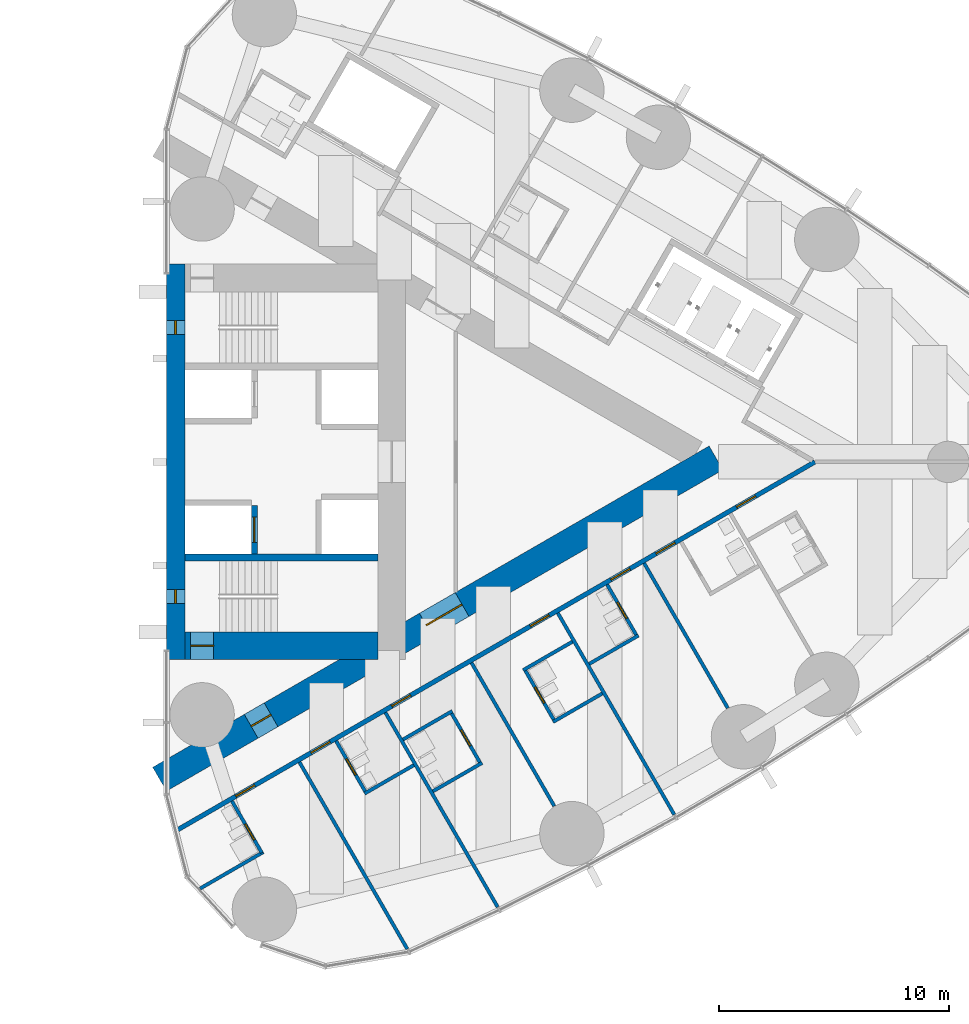
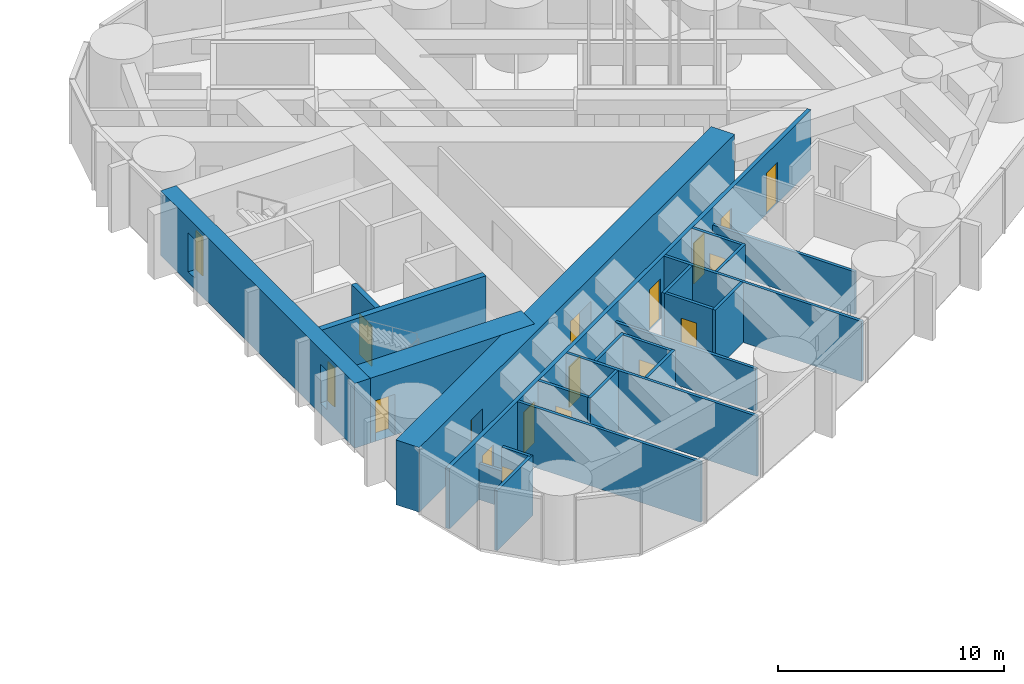
# One storey, part 14 of 21: 24 walls, 16 doors, 2 windows, 18 openings.
"""IFC4 building model written with IfcOpenShell, lengths in metres."""

from ifc_helpers import new_model, si_unit, direction, frame, frame_2d, origin, place, context, subcontext, project, spatial, rectangle, extrude, material, layer, layer_set, type_object, element, fill, save


model = new_model("IFC4")

# Units and contexts
model_context = context("Model", 3, precision=1e-05, world=origin(), true_north=direction((0.0, 1.0)))
body_context = subcontext(model_context, "Body", "Model", "MODEL_VIEW")
ifc_project = project(units=[si_unit("LENGTHUNIT", "METRE"), si_unit("AREAUNIT", "SQUARE_METRE"), si_unit("VOLUMEUNIT", "CUBIC_METRE"), si_unit("PLANEANGLEUNIT", "RADIAN"), si_unit("MASSUNIT", "GRAM", prefix="KILO")], contexts=[model_context])

# Site, building, storey
site_placement = place(None, origin())
site = spatial("IfcSite", under=ifc_project, at=site_placement, CompositionType="ELEMENT")
building_placement = place(site_placement, origin())
building = spatial("IfcBuilding", under=site, at=building_placement, Name="Lancet Gate Hotel", CompositionType="ELEMENT")
storey_placement = place(building_placement, frame((0.0, 0.0, 156.300048828125)))
storey = spatial("IfcBuildingStorey", under=building, at=storey_placement, Name="L41", CompositionType="ELEMENT", Elevation=156.300048828125)

# Wall
ifc_material_1 = material(Name="Moisture resistant board partition")
ifc_layer_1 = layer(ifc_material_1, 0.14990234375)
ifc_layer_set_1 = layer_set([ifc_layer_1], Name="Bathroom wall 150")
wall_type_1 = type_object("IfcWallType", Name="Bathroom wall 150", PredefinedType="PARTITIONING", material=ifc_layer_set_1)
wall_1_placement = place(storey_placement, frame((28.965087890625, -18.554443359375, 0.0), z_axis=(0.0, 0.0, 1.0), x_axis=(0.866008740531, 0.500028860491, 0.0)))
element("IfcWall", 1, at=wall_1_placement, inside=storey, type_object=wall_type_1, Name="T2 bathroom wall 150 L41", PredefinedType="PARTITIONING", context=body_context, shape_type="SweptSolid", body=[
    extrude(rectangle(XDim=3.172607421875, YDim=0.14990234375, at=frame_2d((1.58642578125, 0.0))), origin(), (0.0, 0.0, 1.0), 3.25),
])

# Wall, opening, door
wall_2_placement = place(storey_placement, frame((30.9228515625, -15.749755859375, 0.0), z_axis=(0.0, 0.0, 1.0), x_axis=(0.499887636653, -0.866090267075, 0.0)))
wall_2 = element("IfcWall", 2, at=wall_2_placement, inside=storey, type_object=wall_type_1, Name="T2 bathroom wall 150 L41", PredefinedType="PARTITIONING", context=body_context, shape_type="SweptSolid", body=[
    extrude(rectangle(XDim=1.449951171875, YDim=0.14990234375, at=frame_2d((0.72509765625, 0.0))), origin(), (0.0, 0.0, 1.0), 3.25),
])
opening_1_placement = place(wall_2_placement, origin())
opening_1 = element("IfcOpeningElement", 3, at=opening_1_placement, cuts=wall_2, Name="Opening 4151-B", PredefinedType="OPENING", context=body_context, shape_type="SweptSolid", body=[
    extrude(rectangle(XDim=0.800048828125, YDim=2.199951171875, at=frame_2d((0.39990234375, 1.10009765625))), frame((0.0, 0.0849609375, 0.0), z_axis=(0.0, -1.0, 0.0), x_axis=(1.0, 0.0, 0.0)), (0.0, 0.0, 1.0), 0.169921875),
])
ifc_material_2 = material(Name="Timber door set", Category="wood")
door_type_1 = type_object("IfcDoorType", Name="Bathroom door 800", OperationType="SINGLE_SWING_RIGHT", PredefinedType="DOOR", material=ifc_material_2)
door_1_placement = place(opening_1_placement, origin())
door_1 = element("IfcDoor", 4, at=door_1_placement, inside=storey, type_object=door_type_1, Name="4151-B", OperationType="SINGLE_SWING_RIGHT", OverallHeight=2.199951171875, OverallWidth=0.800048828125, PredefinedType="DOOR", context=body_context, shape_type="SweptSolid", body=[
    extrude(rectangle(XDim=0.800048828125, YDim=2.199951171875, at=frame_2d((0.39990234375, 1.10009765625))), frame((0.0, 0.02490234375, 0.0), z_axis=(0.0, -1.0, 0.0), x_axis=(1.0, 0.0, 0.0)), (0.0, 0.0, 1.0), 0.050048828125),
])
fill(opening_1, door_1)

# Wall
wall_3_placement = place(storey_placement, frame((36.11376953125, -14.427001953125, 0.0), z_axis=(0.0, 0.0, 1.0), x_axis=(0.86604923931, 0.499958713387, 0.0)))
element("IfcWall", 5, at=wall_3_placement, inside=storey, type_object=wall_type_1, Name="T2 bathroom wall 150 L41", PredefinedType="PARTITIONING", context=body_context, shape_type="SweptSolid", body=[
    extrude(rectangle(XDim=2.474853515625, YDim=0.14990234375, at=frame_2d((1.2373046875, 0.0))), origin(), (0.0, 0.0, 1.0), 3.25),
])

# Wall, opening, door
wall_4_placement = place(storey_placement, frame((34.878662109375, -12.137939453125, 0.0), z_axis=(0.0, 0.0, 1.0), x_axis=(0.500006934395, -0.866021400173, 0.0)))
wall_4 = element("IfcWall", 6, at=wall_4_placement, inside=storey, type_object=wall_type_1, Name="T2 bathroom wall 150 L41", PredefinedType="PARTITIONING", context=body_context, shape_type="SweptSolid", body=[
    extrude(rectangle(XDim=2.60009765625, YDim=0.14990234375, at=frame_2d((1.300048828125, 0.0))), origin(), (0.0, 0.0, 1.0), 3.25),
])
opening_2_placement = place(wall_4_placement, frame((0.89990234375, 0.0, 0.0)))
opening_2 = element("IfcOpeningElement", 7, at=opening_2_placement, cuts=wall_4, Name="Opening 4152-B", PredefinedType="OPENING", context=body_context, shape_type="SweptSolid", body=[
    extrude(rectangle(XDim=0.800048828125, YDim=2.199951171875, at=frame_2d((0.39990234375, 1.10009765625))), frame((0.0, 0.0849609375, 0.0), z_axis=(0.0, -1.0, 0.0), x_axis=(1.0, 0.0, 0.0)), (0.0, 0.0, 1.0), 0.169921875),
])
door_2_placement = place(opening_2_placement, origin())
door_2 = element("IfcDoor", 8, at=door_2_placement, inside=storey, type_object=door_type_1, Name="4152-B", OperationType="SINGLE_SWING_RIGHT", OverallHeight=2.199951171875, OverallWidth=0.800048828125, PredefinedType="DOOR", context=body_context, shape_type="SweptSolid", body=[
    extrude(rectangle(XDim=0.800048828125, YDim=2.199951171875, at=frame_2d((0.39990234375, 1.10009765625))), frame((0.0, 0.02490234375, 0.0), z_axis=(0.0, -1.0, 0.0), x_axis=(1.0, 0.0, 0.0)), (0.0, 0.0, 1.0), 0.050048828125),
])
fill(opening_2, door_2)

# Wall
wall_5_placement = place(storey_placement, frame((39.087158203125, -14.3271484375, 0.0), z_axis=(0.0, 0.0, 1.0), x_axis=(0.866006523861, 0.500032699561, 0.0)))
element("IfcWall", 9, at=wall_5_placement, inside=storey, type_object=wall_type_1, Name="T2 bathroom wall 150 L41", PredefinedType="PARTITIONING", context=body_context, shape_type="SweptSolid", body=[
    extrude(rectangle(XDim=2.474853515625, YDim=0.14990234375, at=frame_2d((1.2373046875, 0.0))), origin(), (0.0, 0.0, 1.0), 3.25),
])

# Wall, opening, door
wall_6_placement = place(storey_placement, frame((39.865478515625, -10.87548828125, 0.0), z_axis=(0.0, 0.0, 1.0), x_axis=(0.500047596559, -0.865997922154, 0.0)))
wall_6 = element("IfcWall", 10, at=wall_6_placement, inside=storey, type_object=wall_type_1, Name="T2 bathroom wall 150 L41", PredefinedType="PARTITIONING", context=body_context, shape_type="SweptSolid", body=[
    extrude(rectangle(XDim=2.599853515625, YDim=0.14990234375, at=frame_2d((1.2998046875, 0.0))), origin(), (0.0, 0.0, 1.0), 3.25),
])
opening_3_placement = place(wall_6_placement, frame((0.89990234375, 0.0, 0.0)))
opening_3 = element("IfcOpeningElement", 11, at=opening_3_placement, cuts=wall_6, Name="Opening 4153-B", PredefinedType="OPENING", context=body_context, shape_type="SweptSolid", body=[
    extrude(rectangle(XDim=0.800048828125, YDim=2.199951171875, at=frame_2d((0.39990234375, 1.10009765625))), frame((0.0, 0.0849609375, 0.0), z_axis=(0.0, -1.0, 0.0), x_axis=(1.0, 0.0, 0.0)), (0.0, 0.0, 1.0), 0.169921875),
])
door_3_placement = place(opening_3_placement, origin())
door_3 = element("IfcDoor", 12, at=door_3_placement, inside=storey, type_object=door_type_1, Name="4153-B", OperationType="SINGLE_SWING_RIGHT", OverallHeight=2.199951171875, OverallWidth=0.800048828125, PredefinedType="DOOR", context=body_context, shape_type="SweptSolid", body=[
    extrude(rectangle(XDim=0.800048828125, YDim=2.199951171875, at=frame_2d((0.39990234375, 1.10009765625))), frame((0.0, 0.02490234375, 0.0), z_axis=(0.0, -1.0, 0.0), x_axis=(1.0, 0.0, 0.0)), (0.0, 0.0, 1.0), 0.050048828125),
])
fill(opening_3, door_3)

# Walls
wall_7_placement = place(storey_placement, frame((37.787109375, -12.075439453125, 0.0), z_axis=(0.0, 0.0, 1.0), x_axis=(0.866006523861, 0.500032699561, 0.0)))
element("IfcWall", 13, at=wall_7_placement, inside=storey, type_object=wall_type_1, Name="T2 bathroom wall 150 L41", PredefinedType="PARTITIONING", context=body_context, shape_type="SweptSolid", body=[
    extrude(rectangle(XDim=2.474853515625, YDim=0.14990234375, at=frame_2d((1.2373046875, 0.0))), origin(), (0.0, 0.0, 1.0), 3.25),
])
wall_8_placement = place(storey_placement, frame((44.31298828125, -11.309814453125, 0.0), z_axis=(0.0, 0.0, 1.0), x_axis=(0.866031185235, 0.4999899861, 0.0)))
element("IfcWall", 14, at=wall_8_placement, inside=storey, type_object=wall_type_1, Name="T2 bathroom wall 150 L41", PredefinedType="PARTITIONING", context=body_context, shape_type="SweptSolid", body=[
    extrude(rectangle(XDim=2.47509765625, YDim=0.14990234375, at=frame_2d((1.237548828125, 0.0))), origin(), (0.0, 0.0, 1.0), 3.25),
])

# Wall, opening, door
wall_9_placement = place(storey_placement, frame((43.078125, -9.020751953125, 0.0), z_axis=(0.0, 0.0, 1.0), x_axis=(0.49997716683, -0.86603858612, 0.0)))
wall_9 = element("IfcWall", 15, at=wall_9_placement, inside=storey, type_object=wall_type_1, Name="T2 bathroom wall 150 L41", PredefinedType="PARTITIONING", context=body_context, shape_type="SweptSolid", body=[
    extrude(rectangle(XDim=2.599609375, YDim=0.14990234375, at=frame_2d((1.2998046875, 0.0))), origin(), (0.0, 0.0, 1.0), 3.25),
])
opening_4_placement = place(wall_9_placement, frame((0.89990234375, 0.0, 0.0)))
opening_4 = element("IfcOpeningElement", 16, at=opening_4_placement, cuts=wall_9, Name="Opening 4154-B", PredefinedType="OPENING", context=body_context, shape_type="SweptSolid", body=[
    extrude(rectangle(XDim=0.800048828125, YDim=2.199951171875, at=frame_2d((0.39990234375, 1.10009765625))), frame((0.0, 0.0849609375, 0.0), z_axis=(0.0, -1.0, 0.0), x_axis=(1.0, 0.0, 0.0)), (0.0, 0.0, 1.0), 0.169921875),
])
door_4_placement = place(opening_4_placement, origin())
door_4 = element("IfcDoor", 17, at=door_4_placement, inside=storey, type_object=door_type_1, Name="4154-B", OperationType="SINGLE_SWING_RIGHT", OverallHeight=2.199951171875, OverallWidth=0.800048828125, PredefinedType="DOOR", context=body_context, shape_type="SweptSolid", body=[
    extrude(rectangle(XDim=0.800048828125, YDim=2.199951171875, at=frame_2d((0.39990234375, 1.10009765625))), frame((0.0, 0.02490234375, 0.0), z_axis=(0.0, -1.0, 0.0), x_axis=(1.0, 0.0, 0.0)), (0.0, 0.0, 1.0), 0.050048828125),
])
fill(opening_4, door_4)

# Walls
for number, where, z_axis, x_axis, name in (
    (18, (43.01318359375, -9.05810546875, 0.0), (0.0, 0.0, 1.0), (0.866006523861, 0.500032699561, 0.0), "T2 bathroom wall 150 L41"),
    (19, (45.886474609375, -8.784912109375, 0.0), (0.0, 0.0, 1.0), (0.866006523861, 0.500032699561, 0.0), "T2 bathroom wall 150 L41"),
):
    element("IfcWall", number, at=place(storey_placement, frame(where, z_axis=z_axis, x_axis=x_axis)), inside=storey, type_object=wall_type_1, Name=name, PredefinedType="PARTITIONING", context=body_context, shape_type="SweptSolid", body=[
        extrude(rectangle(XDim=2.474853515625, YDim=0.14990234375, at=frame_2d((1.2373046875, 0.0))), origin(), (0.0, 0.0, 1.0), 3.25),
    ])

# Wall, opening, door
wall_10_placement = place(storey_placement, frame((46.664794921875, -5.333251953125, 0.0), z_axis=(0.0, 0.0, 1.0), x_axis=(0.500006934395, -0.866021400173, 0.0)))
wall_10 = element("IfcWall", 20, at=wall_10_placement, inside=storey, type_object=wall_type_1, Name="T2 bathroom wall 150 L41", PredefinedType="PARTITIONING", context=body_context, shape_type="SweptSolid", body=[
    extrude(rectangle(XDim=2.60009765625, YDim=0.14990234375, at=frame_2d((1.300048828125, 0.0))), origin(), (0.0, 0.0, 1.0), 3.25),
])
opening_5_placement = place(wall_10_placement, frame((0.89990234375, 0.0, 0.0)))
opening_5 = element("IfcOpeningElement", 21, at=opening_5_placement, cuts=wall_10, Name="Opening 4155-B", PredefinedType="OPENING", context=body_context, shape_type="SweptSolid", body=[
    extrude(rectangle(XDim=0.800048828125, YDim=2.199951171875, at=frame_2d((0.39990234375, 1.10009765625))), frame((0.0, 0.0849609375, 0.0), z_axis=(0.0, -1.0, 0.0), x_axis=(1.0, 0.0, 0.0)), (0.0, 0.0, 1.0), 0.169921875),
])
door_5_placement = place(opening_5_placement, origin())
door_5 = element("IfcDoor", 22, at=door_5_placement, inside=storey, type_object=door_type_1, Name="4155-B", OperationType="SINGLE_SWING_RIGHT", OverallHeight=2.199951171875, OverallWidth=0.800048828125, PredefinedType="DOOR", context=body_context, shape_type="SweptSolid", body=[
    extrude(rectangle(XDim=0.800048828125, YDim=2.199951171875, at=frame_2d((0.39990234375, 1.10009765625))), frame((0.0, 0.02490234375, 0.0), z_axis=(0.0, -1.0, 0.0), x_axis=(1.0, 0.0, 0.0)), (0.0, 0.0, 1.0), 0.050048828125),
])
fill(opening_5, door_5)

# Wall
wall_11_placement = place(storey_placement, frame((30.34765625, -14.75390625, 0.0), z_axis=(0.0, 0.0, 1.0), x_axis=(0.500157339417, -0.865934544771, 0.0)))
element("IfcWall", 23, at=wall_11_placement, inside=storey, type_object=wall_type_1, Name="T2 bathroom wall 150 L41", PredefinedType="PARTITIONING", context=body_context, shape_type="SweptSolid", body=[
    extrude(rectangle(XDim=1.150146484375, YDim=0.14990234375, at=frame_2d((0.5751953125, 0.0))), origin(), (0.0, 0.0, 1.0), 1.949951171875),
])

# Wall, openings, doors
ifc_material_3 = material(Name="Concrete C70/85", Category="concrete")
ifc_layer_2 = layer(ifc_material_3, 1.199951171875)
ifc_layer_set_2 = layer_set([ifc_layer_2], Name="Buttress wall 1200")
wall_type_2 = type_object("IfcWallType", Name="Buttress wall 1200", PredefinedType="SHEAR", material=ifc_layer_set_2)
wall_12_placement = place(storey_placement, frame((27.199951171875, -13.800048828125, 0.0), z_axis=(0.0, 0.0, 1.0), x_axis=(0.866027159892, 0.499996958321, 0.0)))
wall_12 = element("IfcWall", 24, at=wall_12_placement, inside=storey, type_object=wall_type_2, Name="T2 buttress wall S L41", PredefinedType="SHEAR", context=body_context, shape_type="SweptSolid", body=[
    extrude(rectangle(XDim=27.946533203125, YDim=1.199951171875, at=frame_2d((13.97314453125, 0.0))), origin(), (0.0, 0.0, 1.0), 3.5),
])
opening_6_placement = place(wall_12_placement, frame((4.60009765625, 0.0, 0.0)))
opening_6 = element("IfcOpeningElement", 25, at=opening_6_placement, cuts=wall_12, Name="Opening T2-L41-LS", PredefinedType="OPENING", context=body_context, shape_type="SweptSolid", body=[
    extrude(rectangle(XDim=1.0, YDim=2.199951171875, at=frame_2d((0.5, 1.10009765625))), frame((0.0, 0.60986328125, 0.0), z_axis=(0.0, -1.0, 0.0), x_axis=(1.0, 0.0, 0.0)), (0.0, 0.0, 1.0), 1.219970703125),
])
opening_7_placement = place(wall_12_placement, frame((13.39453125, 0.0, 0.0)))
opening_7 = element("IfcOpeningElement", 26, at=opening_7_placement, cuts=wall_12, Name="Opening T2-L41-LHS", PredefinedType="OPENING", context=body_context, shape_type="SweptSolid", body=[
    extrude(rectangle(XDim=1.800048828125, YDim=2.199951171875, at=frame_2d((0.89990234375, 1.10009765625))), frame((0.0, 0.60986328125, 0.0), z_axis=(0.0, -1.0, 0.0), x_axis=(1.0, 0.0, 0.0)), (0.0, 0.0, 1.0), 1.219970703125),
])
ifc_material_4 = material(Name="Timber door set", Category="wood")
door_type_2 = type_object("IfcDoorType", Name="Lobby double door 1800", OperationType="DOUBLE_DOOR_SINGLE_SWING", PredefinedType="DOOR", material=ifc_material_4)
door_6_placement = place(opening_7_placement, origin())
door_6 = element("IfcDoor", 27, at=door_6_placement, inside=storey, type_object=door_type_2, Name="T2-L41-LHS", OperationType="DOUBLE_DOOR_SINGLE_SWING", OverallHeight=2.199951171875, OverallWidth=1.800048828125, PredefinedType="DOOR", context=body_context, shape_type="SweptSolid", body=[
    extrude(rectangle(XDim=1.800048828125, YDim=2.199951171875, at=frame_2d((0.89990234375, 1.10009765625))), frame((0.0, 0.02490234375, 0.0), z_axis=(0.0, -1.0, 0.0), x_axis=(1.0, 0.0, 0.0)), (0.0, 0.0, 1.0), 0.050048828125),
])
fill(opening_7, door_6)
ifc_material_5 = material(Name="Timber door set", Category="wood")
door_type_3 = type_object("IfcDoorType", Name="Stair lobby door 1000", OperationType="SINGLE_SWING_LEFT", PredefinedType="DOOR", material=ifc_material_5)
door_7_placement = place(opening_6_placement, origin())
door_7 = element("IfcDoor", 28, at=door_7_placement, inside=storey, type_object=door_type_3, Name="T2-L41-LS", OperationType="SINGLE_SWING_LEFT", OverallHeight=2.199951171875, OverallWidth=1.0, PredefinedType="DOOR", context=body_context, shape_type="SweptSolid", body=[
    extrude(rectangle(XDim=1.0, YDim=2.199951171875, at=frame_2d((0.5, 1.10009765625))), frame((0.0, 0.02490234375, 0.0), z_axis=(0.0, -1.0, 0.0), x_axis=(1.0, 0.0, 0.0)), (0.0, 0.0, 1.0), 0.050048828125),
])
fill(opening_6, door_7)

# Wall, opening, door
ifc_material_6 = material(Name="Concrete C70/85", Category="concrete")
ifc_layer_3 = layer(ifc_material_6, 1.199951171875)
ifc_layer_set_3 = layer_set([ifc_layer_3], Name="Core wall 1200")
wall_type_3 = type_object("IfcWallType", Name="Core wall 1200", PredefinedType="SHEAR", material=ifc_layer_set_3)
wall_13_placement = place(storey_placement, frame((28.300048828125, -8.0, 0.0), z_axis=(0.0, 0.0, 1.0), x_axis=(1.0, 0.0, 0.0)))
wall_13 = element("IfcWall", 29, at=wall_13_placement, inside=storey, type_object=wall_type_3, Name="T2 core wall side-S L41", PredefinedType="SHEAR", context=body_context, shape_type="SweptSolid", body=[
    extrude(rectangle(XDim=8.39990234375, YDim=1.199951171875, at=frame_2d((4.199951171875, 0.0))), origin(), (0.0, 0.0, 1.0), 3.5),
])
opening_8_placement = place(wall_13_placement, frame((0.25, 0.0, 0.0)))
opening_8 = element("IfcOpeningElement", 30, at=opening_8_placement, cuts=wall_13, Name="Opening T2-L41-ST1", PredefinedType="OPENING", context=body_context, shape_type="SweptSolid", body=[
    extrude(rectangle(XDim=1.0, YDim=2.199951171875, at=frame_2d((0.5, 1.10009765625))), frame((0.0, 0.60986328125, 0.0), z_axis=(0.0, -1.0, 0.0), x_axis=(1.0, 0.0, 0.0)), (0.0, 0.0, 1.0), 1.219970703125),
])
ifc_material_7 = material(Name="Timber door set", Category="wood")
door_type_4 = type_object("IfcDoorType", Name="Stair door 1000", OperationType="SINGLE_SWING_RIGHT", PredefinedType="DOOR", material=ifc_material_7)
door_8_placement = place(opening_8_placement, origin())
door_8 = element("IfcDoor", 31, at=door_8_placement, inside=storey, type_object=door_type_4, Name="T2-L41-ST1", OperationType="SINGLE_SWING_RIGHT", OverallHeight=2.199951171875, OverallWidth=1.0, PredefinedType="DOOR", context=body_context, shape_type="SweptSolid", body=[
    extrude(rectangle(XDim=1.0, YDim=2.199951171875, at=frame_2d((0.5, 1.10009765625))), frame((0.0, 0.02490234375, 0.0), z_axis=(0.0, -1.0, 0.0), x_axis=(1.0, 0.0, 0.0)), (0.0, 0.0, 1.0), 0.050048828125),
])
fill(opening_8, door_8)

# Wall, openings, windows
ifc_material_8 = material(Name="Concrete C70/85", Category="concrete")
ifc_layer_4 = layer(ifc_material_8, 0.800048828125)
ifc_layer_set_4 = layer_set([ifc_layer_4], Name="Core wall 800")
wall_type_4 = type_object("IfcWallType", Name="Core wall 800", PredefinedType="SHEAR", material=ifc_layer_set_4)
wall_14_placement = place(storey_placement, frame((27.89990234375, -8.60009765625, 0.0), z_axis=(0.0, 0.0, 1.0), x_axis=(0.0, 1.0, 0.0)))
wall_14 = element("IfcWall", 32, at=wall_14_placement, inside=storey, type_object=wall_type_4, Name="T2 core wall front L41", PredefinedType="SHEAR", context=body_context, shape_type="SweptSolid", body=[
    extrude(rectangle(XDim=17.2001953125, YDim=0.800048828125, at=frame_2d((8.60009765625, 0.0))), origin(), (0.0, 0.0, 1.0), 3.5),
])
opening_9_placement = place(wall_14_placement, frame((2.449951171875, 0.0, 0.60009765625)))
opening_9 = element("IfcOpeningElement", 33, at=opening_9_placement, cuts=wall_14, Name="Opening LW1", PredefinedType="OPENING", context=body_context, shape_type="SweptSolid", body=[
    extrude(rectangle(XDim=0.60009765625, YDim=2.10009765625, at=frame_2d((0.300048828125, 1.050048828125))), frame((0.0, 0.409912109375, 0.0), z_axis=(0.0, -1.0, 0.0), x_axis=(1.0, 0.0, 0.0)), (0.0, 0.0, 1.0), 0.820068359375),
])
opening_10_placement = place(wall_14_placement, frame((14.14990234375, 0.0, 0.60009765625)))
opening_10 = element("IfcOpeningElement", 34, at=opening_10_placement, cuts=wall_14, Name="Opening LW1", PredefinedType="OPENING", context=body_context, shape_type="SweptSolid", body=[
    extrude(rectangle(XDim=0.60009765625, YDim=2.10009765625, at=frame_2d((0.300048828125, 1.050048828125))), frame((0.0, 0.409912109375, 0.0), z_axis=(0.0, -1.0, 0.0), x_axis=(1.0, 0.0, 0.0)), (0.0, 0.0, 1.0), 0.820068359375),
])
ifc_material_9 = material(Name="Fire-resisting glazed steel window", Category="steel")
window_type = type_object("IfcWindowType", Name="Lancet window 600x2100", PartitioningType="SINGLE_PANEL", PredefinedType="WINDOW", material=ifc_material_9)
window_1_placement = place(opening_9_placement, origin())
window_1 = element("IfcWindow", 35, at=window_1_placement, inside=storey, type_object=window_type, Name="T2 stair window S L41", OverallHeight=2.10009765625, OverallWidth=0.60009765625, PartitioningType="SINGLE_PANEL", PredefinedType="WINDOW", context=body_context, shape_type="SweptSolid", body=[
    extrude(rectangle(XDim=0.60009765625, YDim=2.10009765625, at=frame_2d((0.300048828125, 1.050048828125))), frame((0.0, 0.030029296875, 0.0), z_axis=(0.0, -1.0, 0.0), x_axis=(1.0, 0.0, 0.0)), (0.0, 0.0, 1.0), 0.06005859375),
])
fill(opening_9, window_1)
window_2_placement = place(opening_10_placement, origin())
window_2 = element("IfcWindow", 36, at=window_2_placement, inside=storey, type_object=window_type, Name="T2 stair window N L41", OverallHeight=2.10009765625, OverallWidth=0.60009765625, PartitioningType="SINGLE_PANEL", PredefinedType="WINDOW", context=body_context, shape_type="SweptSolid", body=[
    extrude(rectangle(XDim=0.60009765625, YDim=2.10009765625, at=frame_2d((0.300048828125, 1.050048828125))), frame((0.0, 0.030029296875, 0.0), z_axis=(0.0, -1.0, 0.0), x_axis=(1.0, 0.0, 0.0)), (0.0, 0.0, 1.0), 0.06005859375),
])
fill(opening_10, window_2)

# Wall, openings, doors
ifc_material_10 = material(Name="Gypsum board partition")
ifc_layer_5 = layer(ifc_material_10, 0.199951171875)
ifc_layer_set_5 = layer_set([ifc_layer_5], Name="Corridor wall 200")
wall_type_5 = type_object("IfcWallType", Name="Corridor wall 200", PredefinedType="PARTITIONING", material=ifc_layer_set_5)
wall_15_placement = place(storey_placement, frame((27.95947265625, -16.017333984375, 0.0), z_axis=(0.0, 0.0, 1.0), x_axis=(0.866024151371, 0.500002169237, 0.0)))
wall_15 = element("IfcWall", 37, at=wall_15_placement, inside=storey, type_object=wall_type_5, Name="T2 corridor wall 200 L41", PredefinedType="PARTITIONING", context=body_context, shape_type="SweptSolid", body=[
    extrude(rectangle(XDim=32.034423828125, YDim=0.199951171875, at=frame_2d((16.01708984375, 0.0))), origin(), (0.0, 0.0, 1.0), 3.25),
])
opening_11_placement = place(wall_15_placement, frame((2.949951171875, 0.0, 0.0)))
opening_11 = element("IfcOpeningElement", 38, at=opening_11_placement, cuts=wall_15, Name="Opening 4151-E", PredefinedType="OPENING", context=body_context, shape_type="SweptSolid", body=[
    extrude(rectangle(XDim=0.949951171875, YDim=2.199951171875, at=frame_2d((0.47509765625, 1.10009765625))), frame((0.0, 0.10986328125, 0.0), z_axis=(0.0, -1.0, 0.0), x_axis=(1.0, 0.0, 0.0)), (0.0, 0.0, 1.0), 0.219970703125),
])
opening_12_placement = place(wall_15_placement, frame((6.73193359375, 0.0, 0.0)))
opening_12 = element("IfcOpeningElement", 39, at=opening_12_placement, cuts=wall_15, Name="Opening 4152-E", PredefinedType="OPENING", context=body_context, shape_type="SweptSolid", body=[
    extrude(rectangle(XDim=0.949951171875, YDim=2.199951171875, at=frame_2d((0.47509765625, 1.10009765625))), frame((0.0, 0.10986328125, 0.0), z_axis=(0.0, -1.0, 0.0), x_axis=(1.0, 0.0, 0.0)), (0.0, 0.0, 1.0), 0.219970703125),
])
opening_13_placement = place(wall_15_placement, frame((10.781982421875, 0.0, 0.0)))
opening_13 = element("IfcOpeningElement", 40, at=opening_13_placement, cuts=wall_15, Name="Opening 4153-E", PredefinedType="OPENING", context=body_context, shape_type="SweptSolid", body=[
    extrude(rectangle(XDim=0.949951171875, YDim=2.199951171875, at=frame_2d((0.47509765625, 1.10009765625))), frame((0.0, 0.10986328125, 0.0), z_axis=(0.0, -1.0, 0.0), x_axis=(1.0, 0.0, 0.0)), (0.0, 0.0, 1.0), 0.219970703125),
])
opening_14_placement = place(wall_15_placement, frame((17.741455078125, 0.0, 0.0)))
opening_14 = element("IfcOpeningElement", 41, at=opening_14_placement, cuts=wall_15, Name="Opening 4154-E", PredefinedType="OPENING", context=body_context, shape_type="SweptSolid", body=[
    extrude(rectangle(XDim=0.949951171875, YDim=2.199951171875, at=frame_2d((0.47509765625, 1.10009765625))), frame((0.0, 0.10986328125, 0.0), z_axis=(0.0, -1.0, 0.0), x_axis=(1.0, 0.0, 0.0)), (0.0, 0.0, 1.0), 0.219970703125),
])
opening_15_placement = place(wall_15_placement, frame((21.791259765625, 0.0, 0.0)))
opening_15 = element("IfcOpeningElement", 42, at=opening_15_placement, cuts=wall_15, Name="Opening 4155-E", PredefinedType="OPENING", context=body_context, shape_type="SweptSolid", body=[
    extrude(rectangle(XDim=0.949951171875, YDim=2.199951171875, at=frame_2d((0.47509765625, 1.10009765625))), frame((0.0, 0.10986328125, 0.0), z_axis=(0.0, -1.0, 0.0), x_axis=(1.0, 0.0, 0.0)), (0.0, 0.0, 1.0), 0.219970703125),
])
opening_16_placement = place(wall_15_placement, frame((24.05615234375, 0.0, 0.0)))
opening_16 = element("IfcOpeningElement", 43, at=opening_16_placement, cuts=wall_15, Name="Opening 4156-E", PredefinedType="OPENING", context=body_context, shape_type="SweptSolid", body=[
    extrude(rectangle(XDim=0.949951171875, YDim=2.199951171875, at=frame_2d((0.47509765625, 1.10009765625))), frame((0.0, 0.10986328125, 0.0), z_axis=(0.0, -1.0, 0.0), x_axis=(1.0, 0.0, 0.0)), (0.0, 0.0, 1.0), 0.219970703125),
])
opening_17_placement = place(wall_15_placement, frame((28.10595703125, 0.0, 0.0)))
opening_17 = element("IfcOpeningElement", 44, at=opening_17_placement, cuts=wall_15, Name="Opening 4157-E", PredefinedType="OPENING", context=body_context, shape_type="SweptSolid", body=[
    extrude(rectangle(XDim=0.949951171875, YDim=2.199951171875, at=frame_2d((0.47509765625, 1.10009765625))), frame((0.0, 0.10986328125, 0.0), z_axis=(0.0, -1.0, 0.0), x_axis=(1.0, 0.0, 0.0)), (0.0, 0.0, 1.0), 0.219970703125),
])
ifc_material_11 = material(Name="Timber door set", Category="wood")
door_type_5 = type_object("IfcDoorType", Name="Guest room entry door 950", OperationType="SINGLE_SWING_LEFT", PredefinedType="DOOR", material=ifc_material_11)
door_9_placement = place(opening_11_placement, origin())
door_9 = element("IfcDoor", 45, at=door_9_placement, inside=storey, type_object=door_type_5, Name="4151-E", OperationType="SINGLE_SWING_LEFT", OverallHeight=2.199951171875, OverallWidth=0.949951171875, PredefinedType="DOOR", context=body_context, shape_type="SweptSolid", body=[
    extrude(rectangle(XDim=0.949951171875, YDim=2.199951171875, at=frame_2d((0.47509765625, 1.10009765625))), frame((0.0, 0.02490234375, 0.0), z_axis=(0.0, -1.0, 0.0), x_axis=(1.0, 0.0, 0.0)), (0.0, 0.0, 1.0), 0.050048828125),
])
fill(opening_11, door_9)
door_10_placement = place(opening_12_placement, origin())
door_10 = element("IfcDoor", 46, at=door_10_placement, inside=storey, type_object=door_type_5, Name="4152-E", OperationType="SINGLE_SWING_LEFT", OverallHeight=2.199951171875, OverallWidth=0.949951171875, PredefinedType="DOOR", context=body_context, shape_type="SweptSolid", body=[
    extrude(rectangle(XDim=0.949951171875, YDim=2.199951171875, at=frame_2d((0.47509765625, 1.10009765625))), frame((0.0, 0.02490234375, 0.0), z_axis=(0.0, -1.0, 0.0), x_axis=(1.0, 0.0, 0.0)), (0.0, 0.0, 1.0), 0.050048828125),
])
fill(opening_12, door_10)
door_11_placement = place(opening_13_placement, origin())
door_11 = element("IfcDoor", 47, at=door_11_placement, inside=storey, type_object=door_type_5, Name="4153-E", OperationType="SINGLE_SWING_LEFT", OverallHeight=2.199951171875, OverallWidth=0.949951171875, PredefinedType="DOOR", context=body_context, shape_type="SweptSolid", body=[
    extrude(rectangle(XDim=0.949951171875, YDim=2.199951171875, at=frame_2d((0.47509765625, 1.10009765625))), frame((0.0, 0.02490234375, 0.0), z_axis=(0.0, -1.0, 0.0), x_axis=(1.0, 0.0, 0.0)), (0.0, 0.0, 1.0), 0.050048828125),
])
fill(opening_13, door_11)
door_12_placement = place(opening_14_placement, origin())
door_12 = element("IfcDoor", 48, at=door_12_placement, inside=storey, type_object=door_type_5, Name="4154-E", OperationType="SINGLE_SWING_LEFT", OverallHeight=2.199951171875, OverallWidth=0.949951171875, PredefinedType="DOOR", context=body_context, shape_type="SweptSolid", body=[
    extrude(rectangle(XDim=0.949951171875, YDim=2.199951171875, at=frame_2d((0.47509765625, 1.10009765625))), frame((0.0, 0.02490234375, 0.0), z_axis=(0.0, -1.0, 0.0), x_axis=(1.0, 0.0, 0.0)), (0.0, 0.0, 1.0), 0.050048828125),
])
fill(opening_14, door_12)
door_13_placement = place(opening_15_placement, origin())
door_13 = element("IfcDoor", 49, at=door_13_placement, inside=storey, type_object=door_type_5, Name="4155-E", OperationType="SINGLE_SWING_LEFT", OverallHeight=2.199951171875, OverallWidth=0.949951171875, PredefinedType="DOOR", context=body_context, shape_type="SweptSolid", body=[
    extrude(rectangle(XDim=0.949951171875, YDim=2.199951171875, at=frame_2d((0.47509765625, 1.10009765625))), frame((0.0, 0.02490234375, 0.0), z_axis=(0.0, -1.0, 0.0), x_axis=(1.0, 0.0, 0.0)), (0.0, 0.0, 1.0), 0.050048828125),
])
fill(opening_15, door_13)
door_14_placement = place(opening_16_placement, origin())
door_14 = element("IfcDoor", 50, at=door_14_placement, inside=storey, type_object=door_type_5, Name="4156-E", OperationType="SINGLE_SWING_LEFT", OverallHeight=2.199951171875, OverallWidth=0.949951171875, PredefinedType="DOOR", context=body_context, shape_type="SweptSolid", body=[
    extrude(rectangle(XDim=0.949951171875, YDim=2.199951171875, at=frame_2d((0.47509765625, 1.10009765625))), frame((0.0, 0.02490234375, 0.0), z_axis=(0.0, -1.0, 0.0), x_axis=(1.0, 0.0, 0.0)), (0.0, 0.0, 1.0), 0.050048828125),
])
fill(opening_16, door_14)
door_15_placement = place(opening_17_placement, origin())
door_15 = element("IfcDoor", 51, at=door_15_placement, inside=storey, type_object=door_type_5, Name="4157-E", OperationType="SINGLE_SWING_LEFT", OverallHeight=2.199951171875, OverallWidth=0.949951171875, PredefinedType="DOOR", context=body_context, shape_type="SweptSolid", body=[
    extrude(rectangle(XDim=0.949951171875, YDim=2.199951171875, at=frame_2d((0.47509765625, 1.10009765625))), frame((0.0, 0.02490234375, 0.0), z_axis=(0.0, -1.0, 0.0), x_axis=(1.0, 0.0, 0.0)), (0.0, 0.0, 1.0), 0.050048828125),
])
fill(opening_17, door_15)

# Wall, opening, door
ifc_material_12 = material(Name="Concrete C50/60", Category="concrete")
ifc_layer_6 = layer(ifc_material_12, 0.25)
ifc_layer_set_6 = layer_set([ifc_layer_6], Name="Lift shaft wall 250")
wall_type_6 = type_object("IfcWallType", Name="Lift shaft wall 250", PredefinedType="SHEAR", material=ifc_layer_set_6)
wall_16_placement = place(storey_placement, frame((31.324951171875, -4.0, 0.0), z_axis=(0.0, 0.0, 1.0), x_axis=(0.0, 1.0, 0.0)))
wall_16 = element("IfcWall", 52, at=wall_16_placement, inside=storey, type_object=wall_type_6, Name="T2 core wall row1-S L41", PredefinedType="SHEAR", context=body_context, shape_type="SweptSolid", body=[
    extrude(rectangle(XDim=2.10009765625, YDim=0.25, at=frame_2d((1.050048828125, 0.0))), origin(), (0.0, 0.0, 1.0), 3.5),
])
opening_18_placement = place(wall_16_placement, frame((0.5, 0.0, 0.0)))
opening_18 = element("IfcOpeningElement", 53, at=opening_18_placement, cuts=wall_16, Name="Opening T2-SL1-L41", PredefinedType="OPENING", context=body_context, shape_type="SweptSolid", body=[
    extrude(rectangle(XDim=1.10009765625, YDim=2.199951171875, at=frame_2d((0.550048828125, 1.10009765625))), frame((0.0, 0.135009765625, 0.0), z_axis=(0.0, -1.0, 0.0), x_axis=(1.0, 0.0, 0.0)), (0.0, 0.0, 1.0), 0.27001953125),
])
ifc_material_13 = material(Name="Timber door set", Category="wood")
door_type_6 = type_object("IfcDoorType", Name="Service lift landing door 1100", OperationType="SLIDING_TO_LEFT", PredefinedType="USERDEFINED", material=ifc_material_13)
door_16_placement = place(opening_18_placement, origin())
door_16 = element("IfcDoor", 54, at=door_16_placement, inside=storey, type_object=door_type_6, Name="T2-SL1-L41", ObjectType="LIFT LANDING DOOR", OperationType="SLIDING_TO_LEFT", OverallHeight=2.199951171875, OverallWidth=1.10009765625, PredefinedType="USERDEFINED", context=body_context, shape_type="SweptSolid", body=[
    extrude(rectangle(XDim=1.10009765625, YDim=2.199951171875, at=frame_2d((0.550048828125, 1.10009765625))), frame((0.0, 0.02490234375, 0.0), z_axis=(0.0, -1.0, 0.0), x_axis=(1.0, 0.0, 0.0)), (0.0, 0.0, 1.0), 0.050048828125),
])
fill(opening_18, door_16)

# Walls
ifc_material_14 = material(Name="Gypsum board partition")
ifc_layer_7 = layer(ifc_material_14, 0.14990234375)
ifc_layer_set_7 = layer_set([ifc_layer_7], Name="Party wall 150")
wall_type_7 = type_object("IfcWallType", Name="Party wall 150", PredefinedType="PARTITIONING", material=ifc_layer_set_7)
wall_17_placement = place(storey_placement, frame((33.28369140625, -13.058837890625, 0.0), z_axis=(0.0, 0.0, 1.0), x_axis=(0.499985904184, -0.866033541855, 0.0)))
element("IfcWall", 55, at=wall_17_placement, inside=storey, type_object=wall_type_7, Name="T2 party wall 150 L41", PredefinedType="PARTITIONING", context=body_context, shape_type="SweptSolid", body=[
    extrude(rectangle(XDim=9.385498046875, YDim=0.14990234375, at=frame_2d((4.69287109375, 0.0))), origin(), (0.0, 0.0, 1.0), 3.25),
])
wall_18_placement = place(storey_placement, frame((37.022216796875, -10.900390625, 0.0), z_axis=(0.0, 0.0, 1.0), x_axis=(0.499998620953, -0.866026199976, 0.0)))
element("IfcWall", 56, at=wall_18_placement, inside=storey, type_object=wall_type_7, Name="T2 party wall 150 L41", PredefinedType="PARTITIONING", context=body_context, shape_type="SweptSolid", body=[
    extrude(rectangle(XDim=9.76953125, YDim=0.14990234375, at=frame_2d((4.884765625, 0.0))), origin(), (0.0, 0.0, 1.0), 3.25),
])
wall_19_placement = place(storey_placement, frame((40.769287109375, -8.737060546875, 0.0), z_axis=(0.0, 0.0, 1.0), x_axis=(0.500013115284, -0.866017831539, 0.0)))
element("IfcWall", 57, at=wall_19_placement, inside=storey, type_object=wall_type_7, Name="T2 party wall 150 L41", PredefinedType="PARTITIONING", context=body_context, shape_type="SweptSolid", body=[
    extrude(rectangle(XDim=7.197998046875, YDim=0.14990234375, at=frame_2d((3.59912109375, 0.0))), origin(), (0.0, 0.0, 1.0), 2.300048828125),
])
wall_20_placement = place(storey_placement, frame((44.521484375, -6.57080078125, 0.0), z_axis=(0.0, 0.0, 1.0), x_axis=(0.500010457486, -0.866019366068, 0.0)))
element("IfcWall", 58, at=wall_20_placement, inside=storey, type_object=wall_type_7, Name="T2 party wall 150 L41", PredefinedType="PARTITIONING", context=body_context, shape_type="SweptSolid", body=[
    extrude(rectangle(XDim=10.126220703125, YDim=0.14990234375, at=frame_2d((5.06298828125, 0.0))), origin(), (0.0, 0.0, 1.0), 3.25),
])
wall_21_placement = place(storey_placement, frame((48.274658203125, -4.40380859375, 0.0), z_axis=(0.0, 0.0, 1.0), x_axis=(0.500006004368, -0.866021937133, 0.0)))
element("IfcWall", 59, at=wall_21_placement, inside=storey, type_object=wall_type_7, Name="T2 party wall 150 L41", PredefinedType="PARTITIONING", context=body_context, shape_type="SweptSolid", body=[
    extrude(rectangle(XDim=7.279296875, YDim=0.14990234375, at=frame_2d((3.6396484375, 0.0))), origin(), (0.0, 0.0, 1.0), 2.300048828125),
])
ifc_material_15 = material(Name="Concrete C50/60", Category="concrete")
ifc_layer_8 = layer(ifc_material_15, 0.300048828125)
ifc_layer_set_8 = layer_set([ifc_layer_8], Name="Stair enclosure wall 300")
wall_type_8 = type_object("IfcWallType", Name="Stair enclosure wall 300", PredefinedType="SHEAR", material=ifc_layer_set_8)
wall_22_placement = place(storey_placement, frame((28.300048828125, -4.14990234375, 0.0), z_axis=(0.0, 0.0, 1.0), x_axis=(1.0, 0.0, 0.0)))
element("IfcWall", 60, at=wall_22_placement, inside=storey, type_object=wall_type_8, Name="T2 core wall stair-S L41", PredefinedType="SHEAR", context=body_context, shape_type="SweptSolid", body=[
    extrude(rectangle(XDim=8.39990234375, YDim=0.300048828125, at=frame_2d((4.199951171875, 0.0))), origin(), (0.0, 0.0, 1.0), 3.5),
])

save(model, "model.ifc")
